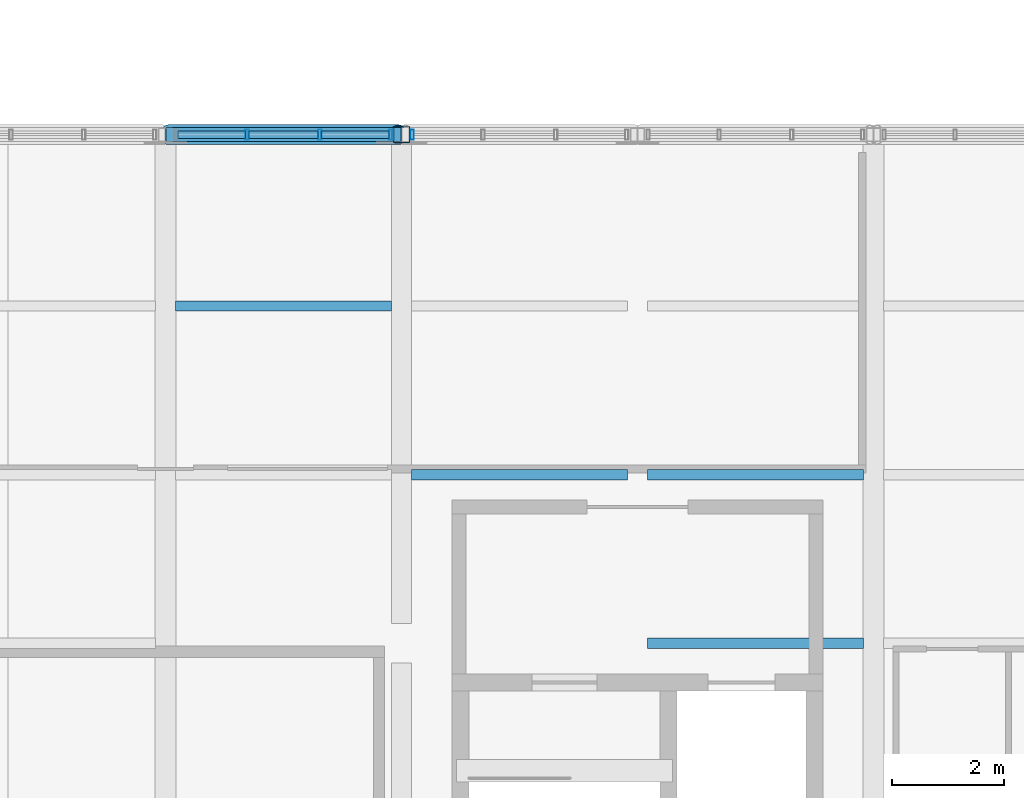
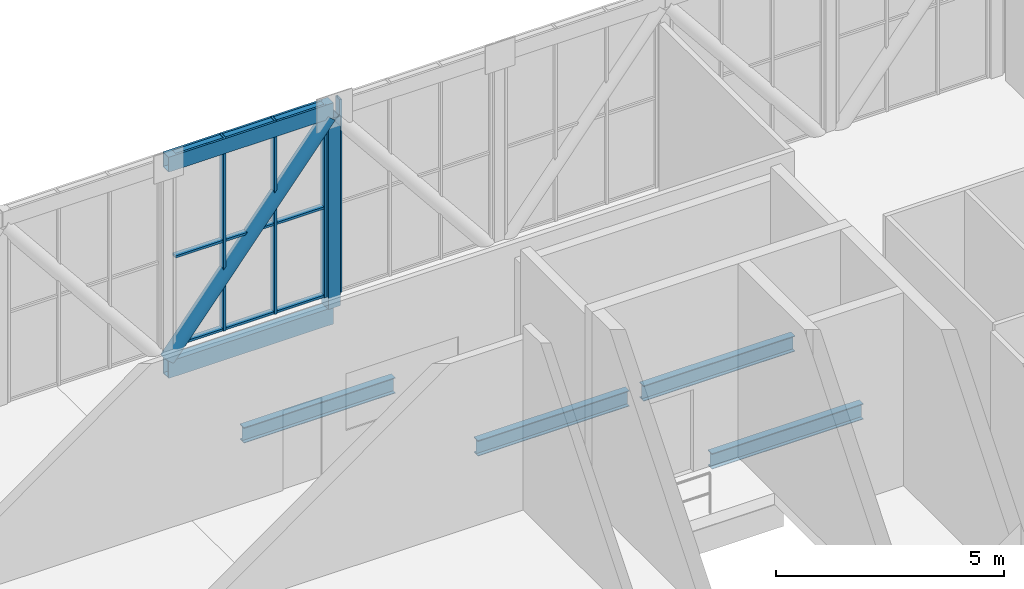
# One storey, part 33 of 58: 17 members, 4 beams, 2 elements without a shape of their own.
"""IFC4 building model written with IfcOpenShell, lengths in metres."""

import ifcopenshell
import ifcopenshell.guid

model = None  # the IFC model being written
_history = None  # IfcOwnerHistory: only IFC2X3 demands one
_inside = {}  # id of a spatial element -> (the spatial element, [elements in it])
_under = {}  # id of a project, library or spatial element -> (it, [spatial elements below it])
_declared = {}  # id of a project -> (the project, [libraries it declares])
_typed = {}  # id of a type object -> (the type object, [elements of that type])
_made_of = {}  # id of a material, layer set ... -> (it, [elements and type objects made of it])


def new_model(schema):
    """Start an empty IFC model of exactly this schema.

    Asked for "IFC4X3", IfcOpenShell would pick the latest addendum, in which some entities
    have other attributes; the version numbers below select the first issue.
    IFC2X3 requires an IfcOwnerHistory on every rooted entity: one is made here for all.
    """
    global model, _history
    if schema == "IFC4X3":
        model = ifcopenshell.file(schema_version=(4, 3, 0, 0))
    else:
        model = ifcopenshell.file(schema=schema)
    _inside.clear()
    _under.clear()
    _declared.clear()
    _typed.clear()
    _made_of.clear()
    _history = None
    if model.schema == "IFC2X3":
        org = make("IfcOrganization", Name="unknown")
        user = make(
            "IfcPersonAndOrganization",
            ThePerson=make("IfcPerson", FamilyName="unknown"),
            TheOrganization=org,
        )
        app = make(
            "IfcApplication",
            ApplicationDeveloper=org,
            Version="unknown",
            ApplicationFullName="unknown",
            ApplicationIdentifier="unknown",
        )
        _history = make(
            "IfcOwnerHistory",
            OwningUser=user,
            OwningApplication=app,
            ChangeAction="ADDED",
            CreationDate=0,
        )
    return model


def make(cls, **values):
    """One entity of the class cls with the attributes given. An attribute that is None is left unset."""
    return model.create_entity(
        cls, **{name: value for name, value in values.items() if value is not None}
    )


def rooted(cls, **values):
    """An entity with a GlobalId (a new one), such as an element, a storey or a relation."""
    return make(cls, GlobalId=ifcopenshell.guid.new(), OwnerHistory=_history, **values)


def si_unit(unit_type, name, prefix=None):
    """IfcSIUnit, for example si_unit("LENGTHUNIT", "METRE", prefix="MILLI")."""
    return make("IfcSIUnit", UnitType=unit_type, Prefix=prefix, Name=name)


def assignment(units):
    """IfcUnitAssignment: the units of a project."""
    return None if units is None else make("IfcUnitAssignment", Units=units)


def point(xyz):
    """IfcCartesianPoint."""
    return None if xyz is None else make("IfcCartesianPoint", Coordinates=xyz)


def direction(xyz):
    """IfcDirection."""
    return None if xyz is None else make("IfcDirection", DirectionRatios=xyz)


def frame(location, z_axis=None, x_axis=None):
    """IfcAxis2Placement3D, a coordinate frame: its origin and axes. An axis left out is left unset."""
    return make(
        "IfcAxis2Placement3D",
        Location=point(location),
        Axis=direction(z_axis),
        RefDirection=direction(x_axis),
    )


def frame_2d(location, x_axis=None):
    """IfcAxis2Placement2D, a coordinate frame in the plane: its origin and x axis."""
    return make(
        "IfcAxis2Placement2D", Location=point(location), RefDirection=direction(x_axis)
    )


def origin():
    """The frame at (0, 0, 0) with its axes left unset."""
    return frame((0.0, 0.0, 0.0))


def origin_2d():
    """The frame at (0, 0) in the plane with its x axis left unset."""
    return frame_2d((0.0, 0.0))


def place(relative_to, where):
    """IfcLocalPlacement: puts the frame where relative to a parent placement (None: the world)."""
    return make(
        "IfcLocalPlacement", PlacementRelTo=relative_to, RelativePlacement=where
    )


def context(
    kind, dimensions, precision=None, world=None, true_north=None, identifier=None
):
    """IfcGeometricRepresentationContext, for example the 3D "Model" context."""
    return make(
        "IfcGeometricRepresentationContext",
        ContextIdentifier=identifier,
        ContextType=kind,
        CoordinateSpaceDimension=dimensions,
        Precision=precision,
        WorldCoordinateSystem=world,
        TrueNorth=true_north,
    )


def subcontext(parent, identifier, kind, view, scale=None):
    """IfcGeometricRepresentationSubContext, for example "Body" below "Model"."""
    return make(
        "IfcGeometricRepresentationSubContext",
        ContextIdentifier=identifier,
        ContextType=kind,
        ParentContext=parent,
        TargetScale=scale,
        TargetView=view,
    )


def project(units=None, contexts=None):
    """IfcProject with its units and contexts."""
    return rooted(
        "IfcProject",
        Name="project",
        RepresentationContexts=contexts,
        UnitsInContext=assignment(units),
    )


def spatial(cls, under=None, at=None, **own):
    """A site, building, storey or space (cls), placed at a placement, below another one or the project."""
    s = rooted(cls, ObjectPlacement=at, **own)
    if under is not None:
        _under.setdefault(under.id(), (under, []))[1].append(s)
    return s


def profile(cls, at=None, kind="AREA", **sizes):
    """A parametric profile (cls). Its sizes go by their IFC names, for example OverallWidth=200.0."""
    return make(cls, ProfileType=kind, Position=at, **sizes)


def hollow_rectangle(**sizes):
    """IfcRectangleHollowProfileDef."""
    return profile("IfcRectangleHollowProfileDef", **sizes)


def hollow_circle(**sizes):
    """IfcCircleHollowProfileDef."""
    return profile("IfcCircleHollowProfileDef", **sizes)


def i_section(**sizes):
    """IfcIShapeProfileDef."""
    return profile("IfcIShapeProfileDef", **sizes)


def extrude(swept, where, along, depth):
    """IfcExtrudedAreaSolid: the profile swept, set in the frame where, extruded along a direction by depth."""
    return make(
        "IfcExtrudedAreaSolid",
        SweptArea=swept,
        Position=where,
        ExtrudedDirection=direction(along),
        Depth=depth,
    )


def shape(context_of_items, identifier, shape_type, items):
    """IfcShapeRepresentation: the items that make up one representation, for example the "Body"."""
    return make(
        "IfcShapeRepresentation",
        ContextOfItems=context_of_items,
        RepresentationIdentifier=identifier,
        RepresentationType=shape_type,
        Items=items,
    )


def material(Name=None, Category=None):
    """IfcMaterial."""
    return make("IfcMaterial", Name=Name, Category=Category)


def material_profile(
    of_material, cross_section, Name=None, Category=None, Priority=None
):
    """IfcMaterialProfile: a cross section and its material."""
    return make(
        "IfcMaterialProfile",
        Name=Name,
        Material=of_material,
        Profile=cross_section,
        Priority=Priority,
        Category=Category,
    )


def profile_set(profiles, Name=None, composite=None):
    """IfcMaterialProfileSet."""
    return make(
        "IfcMaterialProfileSet",
        Name=Name,
        MaterialProfiles=profiles,
        CompositeProfile=composite,
    )


def made_of(thing, what):
    """Note that an element or type object is made of a material, layer set ...; save() writes the relation."""
    if what is not None:
        _made_of.setdefault(what.id(), (what, []))[1].append(thing)
    return thing


def type_object(cls, material=None, **own):
    """A type object (cls), such as IfcWallType, which elements share."""
    return made_of(rooted(cls, **own), material)


def element(
    cls,
    number,
    at=None,
    inside=None,
    cuts=None,
    type_object=None,
    material=None,
    context=None,
    identifier="Body",
    shape_type=None,
    held_by="IfcProductDefinitionShape",
    body=None,
    shapes=None,
    **own,
):
    """One element of the class cls, such as IfcWall. Its Tag is "e" and its number.

    at: its placement. inside: the storey or other place that contains it. cuts: it is an
    opening in that element (IfcRelVoidsElement). A single representation is given by context,
    identifier, shape_type and body (its items); several are given by shapes. held_by: the class
    of the entity that holds the representations. save() writes the other relations.
    """
    e = rooted(cls, Tag="e%d" % number, ObjectPlacement=at, **own)
    if body is not None:
        shapes = [shape(context, identifier, shape_type, body)]
    if shapes is not None:
        e.Representation = make(held_by, Representations=shapes)
    if inside is not None:
        _inside.setdefault(inside.id(), (inside, []))[1].append(e)
    if cuts is not None:
        rooted(
            "IfcRelVoidsElement", RelatingBuildingElement=cuts, RelatedOpeningElement=e
        )
    if type_object is not None:
        _typed.setdefault(type_object.id(), (type_object, []))[1].append(e)
    return made_of(e, material)


def aggregate(whole, parts):
    """IfcRelAggregates: a whole, such as a stair, and the parts it consists of."""
    return rooted("IfcRelAggregates", RelatingObject=whole, RelatedObjects=parts)


def save(model, path):
    """Write the relations noted so far, then the file.

    IfcRelAggregates (storeys below a building ...), IfcRelContainedInSpatialStructure (elements
    in a storey), IfcRelDefinesByType, IfcRelAssociatesMaterial and IfcRelDeclares: one each for
    every whole, place, type object, material and project.
    """
    for whole, parts in _under.values():
        aggregate(whole, parts)
    for where, things in _inside.values():
        rooted(
            "IfcRelContainedInSpatialStructure",
            RelatedElements=things,
            RelatingStructure=where,
        )
    for kind, things in _typed.values():
        rooted("IfcRelDefinesByType", RelatedObjects=things, RelatingType=kind)
    for what, things in _made_of.values():
        rooted("IfcRelAssociatesMaterial", RelatedObjects=things, RelatingMaterial=what)
    for by, libraries in _declared.values():
        rooted("IfcRelDeclares", RelatingContext=by, RelatedDefinitions=libraries)
    model.write(path)


model = new_model("IFC4")

# Units and contexts
model_context = context("Model", 3, precision=1e-05, world=origin(), true_north=direction((0.0, 1.0)))
body_context = subcontext(model_context, "Body", "Model", "MODEL_VIEW")
ifc_project = project(units=[si_unit("LENGTHUNIT", "METRE"), si_unit("AREAUNIT", "SQUARE_METRE"), si_unit("VOLUMEUNIT", "CUBIC_METRE"), si_unit("PLANEANGLEUNIT", "RADIAN"), si_unit("MASSUNIT", "GRAM", prefix="KILO")], contexts=[model_context])

# Site, building, storey
site_placement = place(None, origin())
site = spatial("IfcSite", under=ifc_project, at=site_placement, CompositionType="ELEMENT")
building_placement = place(site_placement, origin())
building = spatial("IfcBuilding", under=site, at=building_placement, Name="Khurvash Pelagic Aquarium", CompositionType="ELEMENT")
storey_placement = place(building_placement, frame((0.0, 0.0, 24.60009765625)))
storey = spatial("IfcBuildingStorey", under=building, at=storey_placement, Name="L05", CompositionType="ELEMENT", Elevation=24.60009765625)

# Curtain wall, members
ifc_material_1 = material(Name="Anodised aluminium and low-E laminated glass", Category="aluminium")
curtain_wall_type = type_object("IfcCurtainWallType", Name="CW-01", PredefinedType="USERDEFINED", material=ifc_material_1)
curtain_wall_1_placement = place(storey_placement, origin())
curtain_wall_1 = element("IfcCurtainWall", 1, at=curtain_wall_1_placement, inside=storey, type_object=curtain_wall_type, Name="L05 North Sky-Bar Unitised Curtain Wall CW-01 P19", ObjectType="UNITISED CURTAIN WALL", PredefinedType="USERDEFINED")
ifc_material_2 = material(Name="Extruded aluminium AW-6063-T6", Category="aluminium")
ifc_material_profile_1 = material_profile(ifc_material_2, hollow_rectangle(XDim=0.06005859375, YDim=0.179931640625, WallThickness=0.00390625, at=origin_2d()), Name="CWM60X180X4")
ifc_profile_set_1 = profile_set([ifc_material_profile_1], Name="Extruded aluminium AW-6063-T6")
member_type_1 = type_object("IfcMemberType", Name="CM-01", PredefinedType="MULLION", material=ifc_profile_set_1)
member_1_placement = place(storey_placement, frame((89.6533203125, 29.75, 0.0), z_axis=(0.0, 0.0, 1.0), x_axis=(1.0, 0.0, 0.0)))
member_1 = element("IfcMember", 2, at=member_1_placement, type_object=member_type_1, Name="CW-01 mullion 2", PredefinedType="MULLION", context=body_context, shape_type="SweptSolid", body=[
    extrude(hollow_rectangle(XDim=0.06005859375, YDim=0.179931640625, WallThickness=0.00390625, at=origin_2d()), origin(), (0.0, 0.0, 1.0), 5.179931640625),
])
member_2_placement = place(storey_placement, frame((90.94677734375, 29.75, 0.0), z_axis=(0.0, 0.0, 1.0), x_axis=(1.0, 0.0, 0.0)))
member_2 = element("IfcMember", 3, at=member_2_placement, type_object=member_type_1, Name="CW-01 mullion 3", PredefinedType="MULLION", context=body_context, shape_type="SweptSolid", body=[
    extrude(hollow_rectangle(XDim=0.06005859375, YDim=0.179931640625, WallThickness=0.00390625, at=origin_2d()), origin(), (0.0, 0.0, 1.0), 5.179931640625),
])
member_3_placement = place(storey_placement, frame((92.2099609375, 29.75, 0.0), z_axis=(0.0, 0.0, 1.0), x_axis=(1.0, 0.0, 0.0)))
member_3 = element("IfcMember", 4, at=member_3_placement, type_object=member_type_1, Name="CW-01 mullion 4", PredefinedType="MULLION", context=body_context, shape_type="SweptSolid", body=[
    extrude(hollow_rectangle(XDim=0.06005859375, YDim=0.179931640625, WallThickness=0.00390625, at=origin_2d()), origin(), (0.0, 0.0, 1.0), 5.179931640625),
])

# Curtain wall, member
curtain_wall_2_placement = place(storey_placement, origin())
curtain_wall_2 = element("IfcCurtainWall", 5, at=curtain_wall_2_placement, inside=storey, type_object=curtain_wall_type, Name="L05 North Sky-Bar Unitised Curtain Wall CW-01 P20", ObjectType="UNITISED CURTAIN WALL", PredefinedType="USERDEFINED")
member_4_placement = place(storey_placement, frame((92.590087890625, 29.75, 0.0), z_axis=(0.0, 0.0, 1.0), x_axis=(1.0, 0.0, 0.0)))
member_4 = element("IfcMember", 6, at=member_4_placement, type_object=member_type_1, Name="CW-01 mullion 1", PredefinedType="MULLION", context=body_context, shape_type="SweptSolid", body=[
    extrude(hollow_rectangle(XDim=0.06005859375, YDim=0.179931640625, WallThickness=0.00390625, at=origin_2d()), origin(), (0.0, 0.0, 1.0), 5.179931640625),
])
aggregate(curtain_wall_2, [member_4])

# Member
ifc_material_profile_2 = material_profile(ifc_material_2, hollow_rectangle(XDim=0.139892578125, YDim=0.06005859375, WallThickness=0.00390625, at=origin_2d()), Name="CWT140X60X4")
ifc_profile_set_2 = profile_set([ifc_material_profile_2], Name="Extruded aluminium AW-6063-T6")
member_type_2 = type_object("IfcMemberType", Name="CT-01", PredefinedType="USERDEFINED", material=ifc_profile_set_2)
member_5_placement = place(storey_placement, frame((88.419921875, 29.75, 0.02978515625), z_axis=(1.0, 0.0, 0.0), x_axis=(0.0, 1.0, 0.0)))
member_5 = element("IfcMember", 7, at=member_5_placement, type_object=member_type_2, Name="CW-01 transom 1.1", ObjectType="TRANSOM", PredefinedType="USERDEFINED", context=body_context, shape_type="SweptSolid", body=[
    extrude(hollow_rectangle(XDim=0.139892578125, YDim=0.06005859375, WallThickness=0.00390625, at=origin_2d()), origin(), (0.0, 0.0, 1.0), 1.203369140625),
])

member_6_placement = place(storey_placement, frame((88.419921875, 29.75, 2.39990234375), z_axis=(1.0, 0.0, 0.0), x_axis=(0.0, 1.0, 0.0)))
member_6 = element("IfcMember", 8, at=member_6_placement, type_object=member_type_2, Name="CW-01 transom 1.2", ObjectType="TRANSOM", PredefinedType="USERDEFINED", context=body_context, shape_type="SweptSolid", body=[
    extrude(hollow_rectangle(XDim=0.139892578125, YDim=0.06005859375, WallThickness=0.00390625, at=origin_2d()), origin(), (0.0, 0.0, 1.0), 1.203369140625),
])

member_7_placement = place(storey_placement, frame((88.419921875, 29.75, 5.14990234375), z_axis=(1.0, 0.0, 0.0), x_axis=(0.0, 1.0, 0.0)))
member_7 = element("IfcMember", 9, at=member_7_placement, type_object=member_type_2, Name="CW-01 transom 1.3", ObjectType="TRANSOM", PredefinedType="USERDEFINED", context=body_context, shape_type="SweptSolid", body=[
    extrude(hollow_rectangle(XDim=0.139892578125, YDim=0.06005859375, WallThickness=0.00390625, at=origin_2d()), origin(), (0.0, 0.0, 1.0), 1.203369140625),
])

member_8_placement = place(storey_placement, frame((89.683349609375, 29.75, 0.02978515625), z_axis=(1.0, 0.0, 0.0), x_axis=(0.0, 1.0, 0.0)))
member_8 = element("IfcMember", 10, at=member_8_placement, type_object=member_type_2, Name="CW-01 transom 2.1", ObjectType="TRANSOM", PredefinedType="USERDEFINED", context=body_context, shape_type="SweptSolid", body=[
    extrude(hollow_rectangle(XDim=0.139892578125, YDim=0.06005859375, WallThickness=0.00390625, at=origin_2d()), origin(), (0.0, 0.0, 1.0), 1.2333984375),
])

member_9_placement = place(storey_placement, frame((89.683349609375, 29.75, 2.39990234375), z_axis=(1.0, 0.0, 0.0), x_axis=(0.0, 1.0, 0.0)))
member_9 = element("IfcMember", 11, at=member_9_placement, type_object=member_type_2, Name="CW-01 transom 2.2", ObjectType="TRANSOM", PredefinedType="USERDEFINED", context=body_context, shape_type="SweptSolid", body=[
    extrude(hollow_rectangle(XDim=0.139892578125, YDim=0.06005859375, WallThickness=0.00390625, at=origin_2d()), origin(), (0.0, 0.0, 1.0), 1.2333984375),
])

member_10_placement = place(storey_placement, frame((89.683349609375, 29.75, 5.14990234375), z_axis=(1.0, 0.0, 0.0), x_axis=(0.0, 1.0, 0.0)))
member_10 = element("IfcMember", 12, at=member_10_placement, type_object=member_type_2, Name="CW-01 transom 2.3", ObjectType="TRANSOM", PredefinedType="USERDEFINED", context=body_context, shape_type="SweptSolid", body=[
    extrude(hollow_rectangle(XDim=0.139892578125, YDim=0.06005859375, WallThickness=0.00390625, at=origin_2d()), origin(), (0.0, 0.0, 1.0), 1.2333984375),
])

member_11_placement = place(storey_placement, frame((90.9765625, 29.75, 0.02978515625), z_axis=(1.0, 0.0, 0.0), x_axis=(0.0, 1.0, 0.0)))
member_11 = element("IfcMember", 13, at=member_11_placement, type_object=member_type_2, Name="CW-01 transom 3.1", ObjectType="TRANSOM", PredefinedType="USERDEFINED", context=body_context, shape_type="SweptSolid", body=[
    extrude(hollow_rectangle(XDim=0.139892578125, YDim=0.06005859375, WallThickness=0.00390625, at=origin_2d()), origin(), (0.0, 0.0, 1.0), 1.203369140625),
])

member_12_placement = place(storey_placement, frame((90.9765625, 29.75, 2.39990234375), z_axis=(1.0, 0.0, 0.0), x_axis=(0.0, 1.0, 0.0)))
member_12 = element("IfcMember", 14, at=member_12_placement, type_object=member_type_2, Name="CW-01 transom 3.2", ObjectType="TRANSOM", PredefinedType="USERDEFINED", context=body_context, shape_type="SweptSolid", body=[
    extrude(hollow_rectangle(XDim=0.139892578125, YDim=0.06005859375, WallThickness=0.00390625, at=origin_2d()), origin(), (0.0, 0.0, 1.0), 1.203369140625),
])

member_13_placement = place(storey_placement, frame((90.9765625, 29.75, 5.14990234375), z_axis=(1.0, 0.0, 0.0), x_axis=(0.0, 1.0, 0.0)))
member_13 = element("IfcMember", 15, at=member_13_placement, type_object=member_type_2, Name="CW-01 transom 3.3", ObjectType="TRANSOM", PredefinedType="USERDEFINED", context=body_context, shape_type="SweptSolid", body=[
    extrude(hollow_rectangle(XDim=0.139892578125, YDim=0.06005859375, WallThickness=0.00390625, at=origin_2d()), origin(), (0.0, 0.0, 1.0), 1.203369140625),
])

aggregate(curtain_wall_1, [member_1, member_2, member_3, member_5, member_6, member_7, member_8, member_9, member_10, member_11, member_12, member_13])

# Beams
ifc_material_3 = material(Name="Steel ASTM A992 Grade 50", Category="steel")
ifc_material_profile_3 = material_profile(ifc_material_3, i_section(OverallWidth=0.180908203125, OverallDepth=0.4169921875, WebThickness=0.010986328125, FlangeThickness=0.018310546875, at=origin_2d()), Name="W16X57")
ifc_profile_set_3 = profile_set([ifc_material_profile_3], Name="Steel ASTM A992 Grade 50")
beam_type = type_object("IfcBeamType", Name="JS-03", PredefinedType="JOIST", material=ifc_profile_set_3)
beam_1_placement = place(storey_placement, frame((88.3798828125, 26.699951171875, -0.508544921875), z_axis=(1.0, 0.0, 0.0), x_axis=(0.0, 1.0, 0.0)))
element("IfcBeam", 16, at=beam_1_placement, inside=storey, type_object=beam_type, Name="L05 Sky-Bar Floor Joist JS-03 P19", PredefinedType="JOIST", context=body_context, shape_type="SweptSolid", body=[
    extrude(i_section(OverallWidth=0.180908203125, OverallDepth=0.4169921875, WebThickness=0.010986328125, FlangeThickness=0.018310546875, at=origin_2d()), origin(), (0.0, 0.0, 1.0), 3.840087890625),
])
beam_2_placement = place(storey_placement, frame((92.580078125, 23.699951171875, -0.508544921875), z_axis=(1.0, 0.0, 0.0), x_axis=(0.0, 1.0, 0.0)))
element("IfcBeam", 17, at=beam_2_placement, inside=storey, type_object=beam_type, Name="L05 Sky-Bar Floor Joist JS-03 P20", PredefinedType="JOIST", context=body_context, shape_type="SweptSolid", body=[
    extrude(i_section(OverallWidth=0.180908203125, OverallDepth=0.4169921875, WebThickness=0.010986328125, FlangeThickness=0.018310546875, at=origin_2d()), origin(), (0.0, 0.0, 1.0), 3.83984375),
])
for number, where, z_axis, x_axis, name in (
    (18, (96.780029296875, 20.699951171875, -0.508544921875), (1.0, 0.0, 0.0), (0.0, 1.0, 0.0), "L05 Sky-Bar Floor Joist JS-03 P21"),
    (19, (96.780029296875, 23.699951171875, -0.508544921875), (1.0, 0.0, 0.0), (0.0, 1.0, 0.0), "L05 Sky-Bar Floor Joist JS-03 P21"),
):
    element("IfcBeam", number, at=place(storey_placement, frame(where, z_axis=z_axis, x_axis=x_axis)), inside=storey, type_object=beam_type, Name=name, PredefinedType="JOIST", context=body_context, shape_type="SweptSolid", body=[
        extrude(i_section(OverallWidth=0.180908203125, OverallDepth=0.4169921875, WebThickness=0.010986328125, FlangeThickness=0.018310546875, at=origin_2d()), origin(), (0.0, 0.0, 1.0), 3.840087890625),
    ])

# Members
ifc_material_4 = material(Name="Steel S355J2", Category="steel")
ifc_material_profile_4 = material_profile(ifc_material_4, hollow_rectangle(XDim=0.25, YDim=0.449951171875, WallThickness=0.02001953125, at=origin_2d()), Name="RHS450X250X20")
ifc_profile_set_4 = profile_set([ifc_material_profile_4], Name="Steel S355J2")
member_type_3 = type_object("IfcMemberType", Name="TC-01", PredefinedType="CHORD", material=ifc_profile_set_4)
member_14_placement = place(storey_placement, frame((88.2099609375, 29.75, -0.525146484375), z_axis=(1.0, 0.0, 0.0), x_axis=(0.0, 1.0, 0.0)))
element("IfcMember", 20, at=member_14_placement, inside=storey, type_object=member_type_3, Name="L05 North Sky-Bar Warren Truss Bottom Chord TC-01 P19", PredefinedType="CHORD", context=body_context, shape_type="SweptSolid", body=[
    extrude(hollow_rectangle(XDim=0.25, YDim=0.449951171875, WallThickness=0.02001953125, at=origin_2d()), origin(), (0.0, 0.0, 1.0), 4.179931640625),
])
ifc_material_profile_5 = material_profile(ifc_material_4, hollow_rectangle(XDim=0.25, YDim=0.39990234375, WallThickness=0.01611328125, at=origin_2d()), Name="RHS400X250X16")
ifc_profile_set_5 = profile_set([ifc_material_profile_5], Name="Steel S355J2")
member_type_4 = type_object("IfcMemberType", Name="TC-02", PredefinedType="CHORD", material=ifc_profile_set_5)
member_15_placement = place(storey_placement, frame((88.2099609375, 29.75, 4.97998046875), z_axis=(1.0, 0.0, 0.0), x_axis=(0.0, 1.0, 0.0)))
element("IfcMember", 21, at=member_15_placement, inside=storey, type_object=member_type_4, Name="L05 North Sky-Bar Warren Truss Top Chord TC-02 P19", PredefinedType="CHORD", context=body_context, shape_type="SweptSolid", body=[
    extrude(hollow_rectangle(XDim=0.25, YDim=0.39990234375, WallThickness=0.01611328125, at=origin_2d()), origin(), (0.0, 0.0, 1.0), 4.179931640625),
])
ifc_material_profile_6 = material_profile(ifc_material_4, hollow_circle(Radius=0.177734375, WallThickness=0.01416015625, at=origin_2d()), Name="CHS355X14")
ifc_profile_set_6 = profile_set([ifc_material_profile_6], Name="Steel S355J2")
member_type_5 = type_object("IfcMemberType", Name="TD-02", PredefinedType="BRACE", material=ifc_profile_set_6)
member_16_placement = place(storey_placement, frame((88.25, 29.75, -0.300048828125), z_axis=(0.628073304864, 0.0, 0.778154177343), x_axis=(0.0, 1.0, 0.0)))
element("IfcMember", 22, at=member_16_placement, inside=storey, type_object=member_type_5, Name="L05 North Sky-Bar Warren Truss Diagonal TD-02 P19", PredefinedType="BRACE", context=body_context, shape_type="SweptSolid", body=[
    extrude(hollow_circle(Radius=0.177734375, WallThickness=0.01416015625, at=origin_2d()), origin(), (0.0, 0.0, 1.0), 6.528076171875),
])
ifc_material_profile_7 = material_profile(ifc_material_4, hollow_rectangle(XDim=0.300048828125, YDim=0.300048828125, WallThickness=0.01611328125, at=origin_2d()), Name="SHS300X300X16")
ifc_profile_set_7 = profile_set([ifc_material_profile_7], Name="Steel S355J2")
member_type_6 = type_object("IfcMemberType", Name="TV-01", PredefinedType="POST", material=ifc_profile_set_7)
member_17_placement = place(storey_placement, frame((92.39990234375, 29.75, -0.300048828125), z_axis=(0.0, 0.0, 1.0), x_axis=(1.0, 0.0, 0.0)))
element("IfcMember", 23, at=member_17_placement, inside=storey, type_object=member_type_6, Name="L05 North Sky-Bar Truss Post TV-01 N20", PredefinedType="POST", context=body_context, shape_type="SweptSolid", body=[
    extrude(hollow_rectangle(XDim=0.300048828125, YDim=0.300048828125, WallThickness=0.01611328125, at=origin_2d()), origin(), (0.0, 0.0, 1.0), 5.079833984375),
])

save(model, "model.ifc")
